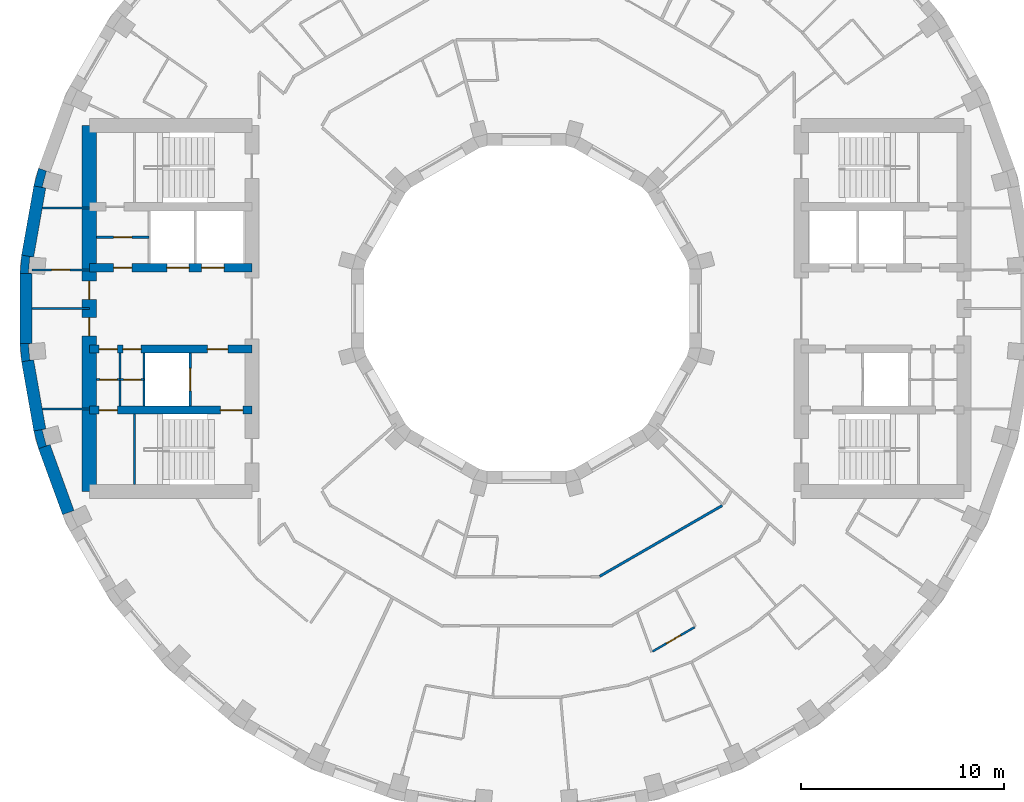
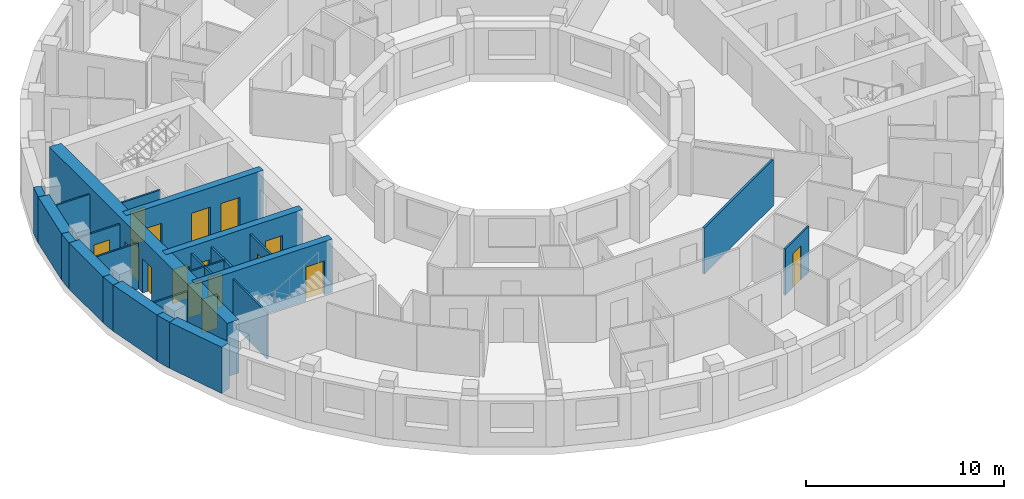
# One storey, part 5 of 13: 25 walls, 16 doors, 16 openings.
"""IFC4 building model written with IfcOpenShell, lengths in metres."""

from ifc_helpers import new_model, si_unit, direction, frame, frame_2d, origin, place, context, subcontext, project, spatial, polyline, rectangle, outline, extrude, material, layer, layer_set, type_object, element, fill, save


model = new_model("IFC4")

# Units and contexts
model_context = context("Model", 3, precision=1e-05, world=origin(), true_north=direction((0.0, 1.0)))
body_context = subcontext(model_context, "Body", "Model", "MODEL_VIEW")
ifc_project = project(units=[si_unit("LENGTHUNIT", "METRE"), si_unit("AREAUNIT", "SQUARE_METRE"), si_unit("VOLUMEUNIT", "CUBIC_METRE"), si_unit("PLANEANGLEUNIT", "RADIAN"), si_unit("MASSUNIT", "GRAM", prefix="KILO")], contexts=[model_context])

# Site, building, storey
site_placement = place(None, origin())
site = spatial("IfcSite", under=ifc_project, at=site_placement, CompositionType="ELEMENT")
building_placement = place(site_placement, origin())
building = spatial("IfcBuilding", under=site, at=building_placement, Name="Saqina Gate Tower", CompositionType="ELEMENT")
storey_placement = place(building_placement, frame((0.0, 0.0, 200.39990234375)))
storey = spatial("IfcBuildingStorey", under=building, at=storey_placement, Name="L57", CompositionType="ELEMENT", Elevation=200.39990234375)

# Walls
ifc_material_1 = material(Name="Brick masonry (buff)", Category="masonry")
wall_type_1 = type_object("IfcWallType", Name="BRICK PIER COPING BUFF", PredefinedType="SOLIDWALL", material=ifc_material_1)
wall_1_placement = place(storey_placement, origin())
element("IfcWall", 1, at=wall_1_placement, inside=storey, type_object=wall_type_1, Name="Pier cap L57 column 17", PredefinedType="SOLIDWALL", context=body_context, shape_type="SweptSolid", body=[
    extrude(outline(polyline([(-24.22705078125, 6.0234375), (-23.635986328125, 5.919189453125), (-23.81689453125, 5.967529296875), (-23.610107421875, 6.740478515625), (-23.428955078125, 6.69189453125), (-23.992919921875, 6.897216796875), (-24.22705078125, 6.0234375)])), origin(), (0.0, 0.0, 1.0), 2.85009765625),
])
wall_2_placement = place(storey_placement, origin())
element("IfcWall", 2, at=wall_2_placement, inside=storey, type_object=wall_type_1, Name="Pier cap L57 column 18", PredefinedType="SOLIDWALL", context=body_context, shape_type="SweptSolid", body=[
    extrude(outline(polyline([(-24.825927734375, 2.6259765625), (-24.90478515625, 1.724853515625), (-24.304931640625, 1.724853515625), (-24.491455078125, 1.7412109375), (-24.421630859375, 2.5380859375), (-24.235107421875, 2.521728515625), (-24.825927734375, 2.6259765625)])), origin(), (0.0, 0.0, 1.0), 2.85009765625),
])
wall_3_placement = place(storey_placement, origin())
element("IfcWall", 3, at=wall_3_placement, inside=storey, type_object=wall_type_1, Name="Pier cap L57 column 19", PredefinedType="SOLIDWALL", context=body_context, shape_type="SweptSolid", body=[
    extrude(outline(polyline([(-24.90478515625, -1.724853515625), (-24.825927734375, -2.6259765625), (-24.235107421875, -2.521728515625), (-24.421630859375, -2.5380859375), (-24.491455078125, -1.7412109375), (-24.304931640625, -1.724853515625), (-24.90478515625, -1.724853515625)])), origin(), (0.0, 0.0, 1.0), 2.85009765625),
])
wall_4_placement = place(storey_placement, origin())
element("IfcWall", 4, at=wall_4_placement, inside=storey, type_object=wall_type_1, Name="Pier cap L57 column 20", PredefinedType="SOLIDWALL", context=body_context, shape_type="SweptSolid", body=[
    extrude(outline(polyline([(-24.22705078125, -6.0234375), (-23.992919921875, -6.897216796875), (-23.428955078125, -6.69189453125), (-23.610107421875, -6.740478515625), (-23.81689453125, -5.967529296875), (-23.635986328125, -5.919189453125), (-24.22705078125, -6.0234375)])), origin(), (0.0, 0.0, 1.0), 2.85009765625),
])
ifc_material_2 = material(Name="Gypsum board on steel studs", Category="steel")
ifc_layer_1 = layer(ifc_material_2, 0.10009765625)
ifc_layer_set_1 = layer_set([ifc_layer_1], Name="CORE PARTITION")
wall_type_2 = type_object("IfcWallType", Name="CORE PARTITION", PredefinedType="PARTITIONING", material=ifc_layer_set_1)
wall_5_placement = place(storey_placement, frame((-21.5, 4.949951171875, 0.0), z_axis=(0.0, 0.0, 1.0), x_axis=(-1.0, 0.0, 0.0)))
element("IfcWall", 5, at=wall_5_placement, inside=storey, type_object=wall_type_2, Name="L57-CP-W01", PredefinedType="PARTITIONING", context=body_context, shape_type="SweptSolid", body=[
    extrude(rectangle(XDim=2.306884765625, YDim=0.10009765625, at=frame_2d((1.1533203125, 0.0))), origin(), (0.0, 0.0, 1.0), 2.85009765625),
])

# Wall, opening, door
wall_6_placement = place(storey_placement, frame((-21.5, 1.89990234375, 0.0), z_axis=(0.0, 0.0, 1.0), x_axis=(-1.0, 0.0, 0.0)))
wall_6 = element("IfcWall", 6, at=wall_6_placement, inside=storey, type_object=wall_type_2, Name="L57-CP-W02", PredefinedType="PARTITIONING", context=body_context, shape_type="SweptSolid", body=[
    extrude(rectangle(XDim=2.804931640625, YDim=0.10009765625, at=frame_2d((1.40234375, 0.0))), origin(), (0.0, 0.0, 1.0), 2.85009765625),
])
opening_1_placement = place(wall_6_placement, frame((0.952392578125, 0.0, 0.0)))
opening_1 = element("IfcOpeningElement", 7, at=opening_1_placement, cuts=wall_6, Name="Opening G17-D110", PredefinedType="OPENING", context=body_context, shape_type="SweptSolid", body=[
    extrude(rectangle(XDim=0.89990234375, YDim=2.10009765625, at=frame_2d((0.449951171875, 1.050048828125))), frame((0.0, 0.06201171875, 0.0), z_axis=(0.0, -1.0, 0.0), x_axis=(1.0, 0.0, 0.0)), (0.0, 0.0, 1.0), 0.1240234375),
])
ifc_material_3 = material(Name="Steel-framed fire door leaf, EI 60", Category="steel")
door_type_1 = type_object("IfcDoorType", Name="SERVICE ROOM DOOR 900", OperationType="SINGLE_SWING_LEFT", PredefinedType="DOOR", material=ifc_material_3)
door_1_placement = place(opening_1_placement, frame((0.89990234375, 0.0, 0.0), z_axis=(0.0, 0.0, 1.0), x_axis=(-1.0, 0.0, 0.0)))
door_1 = element("IfcDoor", 8, at=door_1_placement, inside=storey, type_object=door_type_1, Name="L57-CD-W21", OperationType="SINGLE_SWING_RIGHT", OverallHeight=2.10009765625, OverallWidth=0.89990234375, PredefinedType="DOOR", context=body_context, shape_type="SweptSolid", body=[
    extrude(rectangle(XDim=0.89990234375, YDim=2.10009765625, at=frame_2d((0.449951171875, 1.050048828125))), frame((0.0, 0.02490234375, 0.0), z_axis=(0.0, -1.0, 0.0), x_axis=(1.0, 0.0, 0.0)), (0.0, 0.0, 1.0), 0.050048828125),
])
fill(opening_1, door_1)

# Walls
wall_7_placement = place(storey_placement, frame((-21.5, -4.949951171875, 0.0), z_axis=(0.0, 0.0, 1.0), x_axis=(-1.0, 0.0, 0.0)))
element("IfcWall", 9, at=wall_7_placement, inside=storey, type_object=wall_type_2, Name="L57-CP-W03", PredefinedType="PARTITIONING", context=body_context, shape_type="SweptSolid", body=[
    extrude(rectangle(XDim=2.306884765625, YDim=0.10009765625, at=frame_2d((1.1533203125, 0.0))), origin(), (0.0, 0.0, 1.0), 2.85009765625),
])
wall_8_placement = place(storey_placement, frame((-21.5, 0.0, 0.0), z_axis=(0.0, 0.0, 1.0), x_axis=(-1.0, 0.0, 0.0)))
element("IfcWall", 10, at=wall_8_placement, inside=storey, type_object=wall_type_2, Name="L57-CP-W04", PredefinedType="PARTITIONING", context=body_context, shape_type="SweptSolid", body=[
    extrude(rectangle(XDim=2.804931640625, YDim=0.10009765625, at=frame_2d((1.40234375, 0.0))), origin(), (0.0, 0.0, 1.0), 2.85009765625),
])
wall_9_placement = place(storey_placement, frame((-19.97998046875, -4.800048828125, 0.0), z_axis=(0.0, 0.0, 1.0), x_axis=(0.0, 1.0, 0.0)))
element("IfcWall", 11, at=wall_9_placement, inside=storey, type_object=wall_type_2, Name="L57-CP-W09", PredefinedType="PARTITIONING", context=body_context, shape_type="SweptSolid", body=[
    extrude(rectangle(XDim=2.60009765625, YDim=0.10009765625, at=frame_2d((1.300048828125, 0.0))), origin(), (0.0, 0.0, 1.0), 2.85009765625),
])

# Wall, opening, door
wall_10_placement = place(storey_placement, frame((-18.56005859375, 3.5, 0.0), z_axis=(0.0, 0.0, 1.0), x_axis=(-1.0, 0.0, 0.0)))
wall_10 = element("IfcWall", 12, at=wall_10_placement, inside=storey, type_object=wall_type_2, Name="L57-CP-W10", PredefinedType="PARTITIONING", context=body_context, shape_type="SweptSolid", body=[
    extrude(rectangle(XDim=2.58984375, YDim=0.10009765625, at=frame_2d((1.294921875, 0.0))), origin(), (0.0, 0.0, 1.0), 2.85009765625),
])
opening_2_placement = place(wall_10_placement, frame((0.844970703125, 0.0, 0.0)))
opening_2 = element("IfcOpeningElement", 13, at=opening_2_placement, cuts=wall_10, Name="Opening G17-D113", PredefinedType="OPENING", context=body_context, shape_type="SweptSolid", body=[
    extrude(rectangle(XDim=0.89990234375, YDim=2.10009765625, at=frame_2d((0.449951171875, 1.050048828125))), frame((0.0, 0.06201171875, 0.0), z_axis=(0.0, -1.0, 0.0), x_axis=(1.0, 0.0, 0.0)), (0.0, 0.0, 1.0), 0.1240234375),
])
door_2_placement = place(opening_2_placement, frame((0.89990234375, 0.0, 0.0), z_axis=(0.0, 0.0, 1.0), x_axis=(-1.0, 0.0, 0.0)))
door_2 = element("IfcDoor", 14, at=door_2_placement, inside=storey, type_object=door_type_1, Name="L57-CD-W24", OperationType="SINGLE_SWING_LEFT", OverallHeight=2.10009765625, OverallWidth=0.89990234375, PredefinedType="DOOR", context=body_context, shape_type="SweptSolid", body=[
    extrude(rectangle(XDim=0.89990234375, YDim=2.10009765625, at=frame_2d((0.449951171875, 1.050048828125))), frame((0.0, 0.02490234375, 0.0), z_axis=(0.0, -1.0, 0.0), x_axis=(1.0, 0.0, 0.0)), (0.0, 0.0, 1.0), 0.050048828125),
])
fill(opening_2, door_2)

wall_11_placement = place(storey_placement, frame((-18.81005859375, -3.5, 0.0), z_axis=(0.0, 0.0, 1.0), x_axis=(-1.0, 0.0, 0.0)))
wall_11 = element("IfcWall", 15, at=wall_11_placement, inside=storey, type_object=wall_type_2, Name="L57-CP-W11", PredefinedType="PARTITIONING", context=body_context, shape_type="SweptSolid", body=[
    extrude(rectangle(XDim=1.169921875, YDim=0.10009765625, at=frame_2d((0.5849609375, 0.0))), origin(), (0.0, 0.0, 1.0), 2.85009765625),
])
opening_3_placement = place(wall_11_placement, frame((0.14990234375, 0.0, 0.0)))
opening_3 = element("IfcOpeningElement", 16, at=opening_3_placement, cuts=wall_11, Name="Opening G17-D115", PredefinedType="OPENING", context=body_context, shape_type="SweptSolid", body=[
    extrude(rectangle(XDim=0.85009765625, YDim=2.10009765625, at=frame_2d((0.425048828125, 1.050048828125))), frame((0.0, 0.06201171875, 0.0), z_axis=(0.0, -1.0, 0.0), x_axis=(1.0, 0.0, 0.0)), (0.0, 0.0, 1.0), 0.1240234375),
])
ifc_material_4 = material(Name="Steel-framed fire door leaf, EI 60", Category="steel")
door_type_2 = type_object("IfcDoorType", Name="SERVICE ROOM DOOR 850", OperationType="SINGLE_SWING_LEFT", PredefinedType="DOOR", material=ifc_material_4)
door_3_placement = place(opening_3_placement, origin())
door_3 = element("IfcDoor", 17, at=door_3_placement, inside=storey, type_object=door_type_2, Name="L57-CD-W26", OperationType="SINGLE_SWING_LEFT", OverallHeight=2.10009765625, OverallWidth=0.85009765625, PredefinedType="DOOR", context=body_context, shape_type="SweptSolid", body=[
    extrude(rectangle(XDim=0.85009765625, YDim=2.10009765625, at=frame_2d((0.425048828125, 1.050048828125))), frame((0.0, 0.02490234375, 0.0), z_axis=(0.0, -1.0, 0.0), x_axis=(1.0, 0.0, 0.0)), (0.0, 0.0, 1.0), 0.050048828125),
])
fill(opening_3, door_3)

wall_12_placement = place(storey_placement, frame((-19.97998046875, -3.5, 0.0), z_axis=(0.0, 0.0, 1.0), x_axis=(-1.0, 0.0, 0.0)))
wall_12 = element("IfcWall", 18, at=wall_12_placement, inside=storey, type_object=wall_type_2, Name="L57-CP-W12", PredefinedType="PARTITIONING", context=body_context, shape_type="SweptSolid", body=[
    extrude(rectangle(XDim=1.169921875, YDim=0.10009765625, at=frame_2d((0.5849609375, 0.0))), origin(), (0.0, 0.0, 1.0), 2.85009765625),
])
opening_4_placement = place(wall_12_placement, frame((0.14990234375, 0.0, 0.0)))
opening_4 = element("IfcOpeningElement", 19, at=opening_4_placement, cuts=wall_12, Name="Opening G17-D116", PredefinedType="OPENING", context=body_context, shape_type="SweptSolid", body=[
    extrude(rectangle(XDim=0.85009765625, YDim=2.10009765625, at=frame_2d((0.425048828125, 1.050048828125))), frame((0.0, 0.06201171875, 0.0), z_axis=(0.0, -1.0, 0.0), x_axis=(1.0, 0.0, 0.0)), (0.0, 0.0, 1.0), 0.1240234375),
])
door_4_placement = place(opening_4_placement, origin())
door_4 = element("IfcDoor", 20, at=door_4_placement, inside=storey, type_object=door_type_2, Name="L57-CD-W27", OperationType="SINGLE_SWING_RIGHT", OverallHeight=2.10009765625, OverallWidth=0.85009765625, PredefinedType="DOOR", context=body_context, shape_type="SweptSolid", body=[
    extrude(rectangle(XDim=0.85009765625, YDim=2.10009765625, at=frame_2d((0.425048828125, 1.050048828125))), frame((0.0, 0.02490234375, 0.0), z_axis=(0.0, -1.0, 0.0), x_axis=(1.0, 0.0, 0.0)), (0.0, 0.0, 1.0), 0.050048828125),
])
fill(opening_4, door_4)

# Walls
ifc_material_5 = material(Name="Glazed ceramic tile", Category="ceramic")
ifc_layer_2 = layer(ifc_material_5, 0.60009765625)
ifc_layer_set_2 = layer_set([ifc_layer_2], Name="FW-TILE")
wall_type_3 = type_object("IfcWallType", Name="FW-TILE", PredefinedType="SOLIDWALL", material=ifc_layer_set_2)
for number, where, z_axis, x_axis, name in (
    (21, (-24.60498046875, 1.724853515625, 0.0), (0.0, 0.0, 1.0), (0.0, -1.0, 0.0), "Facade wall L57 facet 18"),
    (22, (-23.7109375, -6.79443359375, 0.0), (0.0, 0.0, 1.0), (0.342032843455, -0.93968799822, 0.0), "Facade wall L57 facet 20"),
):
    element("IfcWall", number, at=place(storey_placement, frame(where, z_axis=z_axis, x_axis=x_axis)), inside=storey, type_object=wall_type_3, Name=name, PredefinedType="SOLIDWALL", context=body_context, shape_type="SweptSolid", body=[
        extrude(rectangle(XDim=3.44970703125, YDim=0.60009765625, at=frame_2d((1.724853515625, 0.0))), origin(), (0.0, 0.0, 1.0), 2.85009765625),
    ])
ifc_material_6 = material(Name="Glazed ceramic tile (dark blue)", Category="ceramic")
ifc_layer_3 = layer(ifc_material_6, 0.60009765625)
ifc_layer_set_3 = layer_set([ifc_layer_3], Name="FW-TILE-CB")
wall_type_4 = type_object("IfcWallType", Name="FW-TILE-CB", PredefinedType="SOLIDWALL", material=ifc_layer_set_3)
wall_13_placement = place(storey_placement, frame((-23.931640625, 5.97119140625, 0.0), z_axis=(0.0, 0.0, 1.0), x_axis=(-0.173607684551, -0.984814892183, 0.0)))
element("IfcWall", 23, at=wall_13_placement, inside=storey, type_object=wall_type_4, Name="Facade wall L57 facet 17", PredefinedType="SOLIDWALL", context=body_context, shape_type="SweptSolid", body=[
    extrude(rectangle(XDim=3.44970703125, YDim=0.60009765625, at=frame_2d((1.724853515625, 0.0))), origin(), (0.0, 0.0, 1.0), 2.85009765625),
])
ifc_material_7 = material(Name="Glazed ceramic tile (white)", Category="ceramic")
ifc_layer_4 = layer(ifc_material_7, 0.60009765625)
ifc_layer_set_4 = layer_set([ifc_layer_4], Name="FW-TILE-WH")
wall_type_5 = type_object("IfcWallType", Name="FW-TILE-WH", PredefinedType="SOLIDWALL", material=ifc_layer_set_4)
wall_14_placement = place(storey_placement, frame((-24.530517578125, -2.573974609375, 0.0), z_axis=(0.0, 0.0, 1.0), x_axis=(0.173607684551, -0.984814892183, 0.0)))
element("IfcWall", 24, at=wall_14_placement, inside=storey, type_object=wall_type_5, Name="Facade wall L57 facet 19", PredefinedType="SOLIDWALL", context=body_context, shape_type="SweptSolid", body=[
    extrude(rectangle(XDim=3.44970703125, YDim=0.60009765625, at=frame_2d((1.724853515625, 0.0))), origin(), (0.0, 0.0, 1.0), 2.85009765625),
])

# Wall, opening, door
ifc_material_8 = material(Name="Gypsum board on steel studs, 100 mm", Category="steel")
ifc_layer_5 = layer(ifc_material_8, 0.10009765625)
ifc_layer_set_5 = layer_set([ifc_layer_5], Name="PARTITION 100")
wall_type_6 = type_object("IfcWallType", Name="PARTITION 100", PredefinedType="PARTITIONING", material=ifc_layer_set_5)
wall_15_placement = place(storey_placement, frame((6.192138671875, -16.863037109375, 0.0), z_axis=(0.0, 0.0, 1.0), x_axis=(0.866112296403, 0.49984946736, 0.0)))
wall_15 = element("IfcWall", 25, at=wall_15_placement, inside=storey, type_object=wall_type_6, Name="PARTITION PW3-42", PredefinedType="PARTITIONING", context=body_context, shape_type="SweptSolid", body=[
    extrude(rectangle(XDim=2.385009765625, YDim=0.10009765625, at=frame_2d((1.1923828125, 0.0))), origin(), (0.0, 0.0, 1.0), 2.85009765625),
])
opening_5_placement = place(wall_15_placement, frame((0.79150390625, 0.0, 0.0)))
opening_5 = element("IfcOpeningElement", 26, at=opening_5_placement, cuts=wall_15, Name="Opening G17-D41", PredefinedType="OPENING", context=body_context, shape_type="SweptSolid", body=[
    extrude(rectangle(XDim=0.800048828125, YDim=2.10009765625, at=frame_2d((0.39990234375, 1.050048828125))), frame((0.0, 0.06201171875, 0.0), z_axis=(0.0, -1.0, 0.0), x_axis=(1.0, 0.0, 0.0)), (0.0, 0.0, 1.0), 0.1240234375),
])
ifc_material_9 = material(Name="Timber door leaf, 800 mm", Category="wood")
door_type_3 = type_object("IfcDoorType", Name="DOOR 800 TIMBER", OperationType="SINGLE_SWING_LEFT", PredefinedType="DOOR", material=ifc_material_9)
door_5_placement = place(opening_5_placement, frame((0.800048828125, 0.0, 0.0), z_axis=(0.0, 0.0, 1.0), x_axis=(-1.0, 0.0, 0.0)))
door_5 = element("IfcDoor", 27, at=door_5_placement, inside=storey, type_object=door_type_3, Name="DOOR G17-D41", OperationType="SINGLE_SWING_RIGHT", OverallHeight=2.10009765625, OverallWidth=0.800048828125, PredefinedType="DOOR", context=body_context, shape_type="SweptSolid", body=[
    extrude(rectangle(XDim=0.800048828125, YDim=2.10009765625, at=frame_2d((0.39990234375, 1.050048828125))), frame((0.0, 0.02490234375, 0.0), z_axis=(0.0, -1.0, 0.0), x_axis=(1.0, 0.0, 0.0)), (0.0, 0.0, 1.0), 0.050048828125),
])
fill(opening_5, door_5)

# Wall
ifc_material_10 = material(Name="Gypsum board on steel studs, 125 mm, fire rated", Category="steel")
ifc_layer_6 = layer(ifc_material_10, 0.125)
ifc_layer_set_6 = layer_set([ifc_layer_6], Name="PARTITION EI 30 125")
wall_type_7 = type_object("IfcWallType", Name="PARTITION EI 30 125", PredefinedType="PARTITIONING", material=ifc_layer_set_6)
wall_16_placement = place(storey_placement, frame((3.591064453125, -13.168701171875, 0.0), z_axis=(0.0, 0.0, 1.0), x_axis=(0.866023753919, 0.50000285764, 0.0)))
element("IfcWall", 28, at=wall_16_placement, inside=storey, type_object=wall_type_7, Name="PARTITION PW1-30", PredefinedType="PARTITIONING", context=body_context, shape_type="SweptSolid", body=[
    extrude(rectangle(XDim=6.958984375, YDim=0.125, at=frame_2d((3.4794921875, 0.0))), origin(), (0.0, 0.0, 1.0), 2.85009765625),
])

# Wall, opening, door
ifc_material_11 = material(Name="Autoclaved aerated concrete block", Category="concrete")
ifc_layer_7 = layer(ifc_material_11, 0.1201171875)
ifc_layer_set_7 = layer_set([ifc_layer_7], Name="SHAFT PARTITION")
wall_type_8 = type_object("IfcWallType", Name="SHAFT PARTITION", PredefinedType="PARTITIONING", material=ifc_layer_set_7)
wall_17_placement = place(storey_placement, frame((-16.530029296875, -4.800048828125, 0.0), z_axis=(0.0, 0.0, 1.0), x_axis=(0.0, 1.0, 0.0)))
wall_17 = element("IfcWall", 29, at=wall_17_placement, inside=storey, type_object=wall_type_8, Name="L57-CP-W07", PredefinedType="PARTITIONING", context=body_context, shape_type="SweptSolid", body=[
    extrude(rectangle(XDim=2.60009765625, YDim=0.1201171875, at=frame_2d((1.300048828125, 0.0))), origin(), (0.0, 0.0, 1.0), 2.85009765625),
])
opening_6_placement = place(wall_17_placement, frame((0.75, 0.0, 0.0)))
opening_6 = element("IfcOpeningElement", 30, at=opening_6_placement, cuts=wall_17, Name="Opening G17-LD6", PredefinedType="OPENING", context=body_context, shape_type="SweptSolid", body=[
    extrude(rectangle(XDim=1.10009765625, YDim=2.10009765625, at=frame_2d((0.550048828125, 1.050048828125))), frame((0.0, 0.072021484375, 0.0), z_axis=(0.0, -1.0, 0.0), x_axis=(1.0, 0.0, 0.0)), (0.0, 0.0, 1.0), 0.14404296875),
])
ifc_material_12 = material(Name="Stainless steel", Category="steel")
door_type_4 = type_object("IfcDoorType", Name="LANDING DOOR", OperationType="DOUBLE_DOOR_SLIDING", PredefinedType="DOOR", material=ifc_material_12)
door_6_placement = place(opening_6_placement, origin())
door_6 = element("IfcDoor", 31, at=door_6_placement, inside=storey, type_object=door_type_4, Name="LANDING DOOR FF2", OperationType="DOUBLE_DOOR_SLIDING", OverallHeight=2.10009765625, OverallWidth=1.10009765625, PredefinedType="DOOR", context=body_context, shape_type="SweptSolid", body=[
    extrude(rectangle(XDim=1.10009765625, YDim=2.10009765625, at=frame_2d((0.550048828125, 1.050048828125))), frame((0.0, 0.02490234375, 0.0), z_axis=(0.0, -1.0, 0.0), x_axis=(1.0, 0.0, 0.0)), (0.0, 0.0, 1.0), 0.050048828125),
])
fill(opening_6, door_6)

# Walls
wall_18_placement = place(storey_placement, frame((-18.81005859375, -4.800048828125, 0.0), z_axis=(0.0, 0.0, 1.0), x_axis=(0.0, 1.0, 0.0)))
element("IfcWall", 32, at=wall_18_placement, inside=storey, type_object=wall_type_8, Name="L57-CP-W08", PredefinedType="PARTITIONING", context=body_context, shape_type="SweptSolid", body=[
    extrude(rectangle(XDim=2.60009765625, YDim=0.1201171875, at=frame_2d((1.300048828125, 0.0))), origin(), (0.0, 0.0, 1.0), 2.85009765625),
])
ifc_material_13 = material(Name="Autoclaved aerated concrete block", Category="concrete")
ifc_layer_8 = layer(ifc_material_13, 0.10009765625)
ifc_layer_set_8 = layer_set([ifc_layer_8], Name="STAIR ENCLOSURE WALL")
wall_type_9 = type_object("IfcWallType", Name="STAIR ENCLOSURE WALL", PredefinedType="PARTITIONING", material=ifc_layer_set_8)
wall_19_placement = place(storey_placement, frame((-19.27001953125, -8.64990234375, 0.0), z_axis=(0.0, 0.0, 1.0), x_axis=(0.0, 1.0, 0.0)))
element("IfcWall", 33, at=wall_19_placement, inside=storey, type_object=wall_type_9, Name="L57-CP-W14", PredefinedType="PARTITIONING", context=body_context, shape_type="SweptSolid", body=[
    extrude(rectangle(XDim=3.449951171875, YDim=0.10009765625, at=frame_2d((1.72509765625, 0.0))), origin(), (0.0, 0.0, 1.0), 2.85009765625),
])

# Wall, openings, doors
ifc_material_14 = material(Name="Concrete C60/75", Category="concrete")
ifc_layer_9 = layer(ifc_material_14, 0.39990234375)
ifc_layer_set_9 = layer_set([ifc_layer_9], Name="Concrete C60/75")
wall_type_10 = type_object("IfcWallType", Name="STR-CORE WALL-C-I", PredefinedType="SHEAR", material=ifc_layer_set_9)
wall_20_placement = place(storey_placement, frame((-13.5, -5.0, 0.0), z_axis=(0.0, 0.0, 1.0), x_axis=(-1.0, 0.0, 0.0)))
wall_20 = element("IfcWall", 34, at=wall_20_placement, inside=storey, type_object=wall_type_10, Name="CORE WALL L57 W-X2", PredefinedType="SHEAR", context=body_context, shape_type="SweptSolid", body=[
    extrude(rectangle(XDim=8.0, YDim=0.39990234375, at=frame_2d((4.0, 0.0))), origin(), (0.0, 0.0, 1.0), 3.300048828125),
])
opening_7_placement = place(wall_20_placement, frame((6.614990234375, 0.0, 0.0)))
opening_7 = element("IfcOpeningElement", 35, at=opening_7_placement, cuts=wall_20, Name="Opening G17-D117", PredefinedType="OPENING", context=body_context, shape_type="SweptSolid", body=[
    extrude(rectangle(XDim=0.89990234375, YDim=2.10009765625, at=frame_2d((0.449951171875, 1.050048828125))), frame((0.0, 0.2119140625, 0.0), z_axis=(0.0, -1.0, 0.0), x_axis=(1.0, 0.0, 0.0)), (0.0, 0.0, 1.0), 0.423828125),
])
opening_8_placement = place(wall_20_placement, frame((0.449951171875, 0.0, 0.0)))
opening_8 = element("IfcOpeningElement", 36, at=opening_8_placement, cuts=wall_20, Name="Opening G17-D118", PredefinedType="OPENING", context=body_context, shape_type="SweptSolid", body=[
    extrude(rectangle(XDim=1.10009765625, YDim=2.10009765625, at=frame_2d((0.550048828125, 1.050048828125))), frame((0.0, 0.2119140625, 0.0), z_axis=(0.0, -1.0, 0.0), x_axis=(1.0, 0.0, 0.0)), (0.0, 0.0, 1.0), 0.423828125),
])
ifc_material_15 = material(Name="Steel", Category="steel")
door_type_5 = type_object("IfcDoorType", Name="FIRE LOBBY DOOR EI 60 WIDE", OperationType="SINGLE_SWING_LEFT", PredefinedType="DOOR", material=ifc_material_15)
door_7_placement = place(opening_8_placement, origin())
door_7 = element("IfcDoor", 37, at=door_7_placement, inside=storey, type_object=door_type_5, Name="L57-CD-W29", OperationType="SINGLE_SWING_LEFT", OverallHeight=2.10009765625, OverallWidth=1.10009765625, PredefinedType="DOOR", context=body_context, shape_type="SweptSolid", body=[
    extrude(rectangle(XDim=1.10009765625, YDim=2.10009765625, at=frame_2d((0.550048828125, 1.050048828125))), frame((0.0, 0.02490234375, 0.0), z_axis=(0.0, -1.0, 0.0), x_axis=(1.0, 0.0, 0.0)), (0.0, 0.0, 1.0), 0.050048828125),
])
fill(opening_8, door_7)
door_8_placement = place(opening_7_placement, origin())
door_8 = element("IfcDoor", 38, at=door_8_placement, inside=storey, type_object=door_type_1, Name="L57-CD-W28", OperationType="SINGLE_SWING_RIGHT", OverallHeight=2.10009765625, OverallWidth=0.89990234375, PredefinedType="DOOR", context=body_context, shape_type="SweptSolid", body=[
    extrude(rectangle(XDim=0.89990234375, YDim=2.10009765625, at=frame_2d((0.449951171875, 1.050048828125))), frame((0.0, 0.02490234375, 0.0), z_axis=(0.0, -1.0, 0.0), x_axis=(1.0, 0.0, 0.0)), (0.0, 0.0, 1.0), 0.050048828125),
])
fill(opening_7, door_8)

wall_21_placement = place(storey_placement, frame((-13.5, 2.0, 0.0), z_axis=(0.0, 0.0, 1.0), x_axis=(-1.0, 0.0, 0.0)))
wall_21 = element("IfcWall", 39, at=wall_21_placement, inside=storey, type_object=wall_type_10, Name="CORE WALL L57 W-L1", PredefinedType="SHEAR", context=body_context, shape_type="SweptSolid", body=[
    extrude(rectangle(XDim=8.0, YDim=0.39990234375, at=frame_2d((4.0, 0.0))), origin(), (0.0, 0.0, 1.0), 3.300048828125),
])
opening_9_placement = place(wall_21_placement, frame((1.3701171875, 0.0, 0.0)))
opening_9 = element("IfcOpeningElement", 40, at=opening_9_placement, cuts=wall_21, Name="Opening G17-LD4", PredefinedType="OPENING", context=body_context, shape_type="SweptSolid", body=[
    extrude(rectangle(XDim=1.10009765625, YDim=2.10009765625, at=frame_2d((0.550048828125, 1.050048828125))), frame((0.0, 0.2119140625, 0.0), z_axis=(0.0, -1.0, 0.0), x_axis=(1.0, 0.0, 0.0)), (0.0, 0.0, 1.0), 0.423828125),
])
opening_10_placement = place(wall_21_placement, frame((3.090087890625, 0.0, 0.0)))
opening_10 = element("IfcOpeningElement", 41, at=opening_10_placement, cuts=wall_21, Name="Opening G17-LD5", PredefinedType="OPENING", context=body_context, shape_type="SweptSolid", body=[
    extrude(rectangle(XDim=1.10009765625, YDim=2.10009765625, at=frame_2d((0.550048828125, 1.050048828125))), frame((0.0, 0.2119140625, 0.0), z_axis=(0.0, -1.0, 0.0), x_axis=(1.0, 0.0, 0.0)), (0.0, 0.0, 1.0), 0.423828125),
])
opening_11_placement = place(wall_21_placement, frame((5.905029296875, 0.0, 0.0)))
opening_11 = element("IfcOpeningElement", 42, at=opening_11_placement, cuts=wall_21, Name="Opening G17-D106", PredefinedType="OPENING", context=body_context, shape_type="SweptSolid", body=[
    extrude(rectangle(XDim=0.89990234375, YDim=2.10009765625, at=frame_2d((0.449951171875, 1.050048828125))), frame((0.0, 0.2119140625, 0.0), z_axis=(0.0, -1.0, 0.0), x_axis=(1.0, 0.0, 0.0)), (0.0, 0.0, 1.0), 0.423828125),
])
door_9_placement = place(opening_9_placement, origin())
door_9 = element("IfcDoor", 43, at=door_9_placement, inside=storey, type_object=door_type_4, Name="LANDING DOOR HR3", OperationType="DOUBLE_DOOR_SLIDING", OverallHeight=2.10009765625, OverallWidth=1.10009765625, PredefinedType="DOOR", context=body_context, shape_type="SweptSolid", body=[
    extrude(rectangle(XDim=1.10009765625, YDim=2.10009765625, at=frame_2d((0.550048828125, 1.050048828125))), frame((0.0, 0.02490234375, 0.0), z_axis=(0.0, -1.0, 0.0), x_axis=(1.0, 0.0, 0.0)), (0.0, 0.0, 1.0), 0.050048828125),
])
fill(opening_9, door_9)
door_10_placement = place(opening_10_placement, origin())
door_10 = element("IfcDoor", 44, at=door_10_placement, inside=storey, type_object=door_type_4, Name="LANDING DOOR HR4", OperationType="DOUBLE_DOOR_SLIDING", OverallHeight=2.10009765625, OverallWidth=1.10009765625, PredefinedType="DOOR", context=body_context, shape_type="SweptSolid", body=[
    extrude(rectangle(XDim=1.10009765625, YDim=2.10009765625, at=frame_2d((0.550048828125, 1.050048828125))), frame((0.0, 0.02490234375, 0.0), z_axis=(0.0, -1.0, 0.0), x_axis=(1.0, 0.0, 0.0)), (0.0, 0.0, 1.0), 0.050048828125),
])
fill(opening_10, door_10)
door_11_placement = place(opening_11_placement, frame((0.89990234375, 0.0, 0.0), z_axis=(0.0, 0.0, 1.0), x_axis=(-1.0, 0.0, 0.0)))
door_11 = element("IfcDoor", 45, at=door_11_placement, inside=storey, type_object=door_type_1, Name="L57-CD-W17", OperationType="SINGLE_SWING_LEFT", OverallHeight=2.10009765625, OverallWidth=0.89990234375, PredefinedType="DOOR", context=body_context, shape_type="SweptSolid", body=[
    extrude(rectangle(XDim=0.89990234375, YDim=2.10009765625, at=frame_2d((0.449951171875, 1.050048828125))), frame((0.0, 0.02490234375, 0.0), z_axis=(0.0, -1.0, 0.0), x_axis=(1.0, 0.0, 0.0)), (0.0, 0.0, 1.0), 0.050048828125),
])
fill(opening_11, door_11)

wall_22_placement = place(storey_placement, frame((-13.5, -2.0, 0.0), z_axis=(0.0, 0.0, 1.0), x_axis=(-1.0, 0.0, 0.0)))
wall_22 = element("IfcWall", 46, at=wall_22_placement, inside=storey, type_object=wall_type_10, Name="CORE WALL L57 W-L2", PredefinedType="SHEAR", context=body_context, shape_type="SweptSolid", body=[
    extrude(rectangle(XDim=8.0, YDim=0.39990234375, at=frame_2d((4.0, 0.0))), origin(), (0.0, 0.0, 1.0), 3.300048828125),
])
opening_12_placement = place(wall_22_placement, frame((1.18994140625, 0.0, 0.0)))
opening_12 = element("IfcOpeningElement", 47, at=opening_12_placement, cuts=wall_22, Name="Opening G17-D107", PredefinedType="OPENING", context=body_context, shape_type="SweptSolid", body=[
    extrude(rectangle(XDim=1.0, YDim=2.10009765625, at=frame_2d((0.5, 1.050048828125))), frame((0.0, 0.2119140625, 0.0), z_axis=(0.0, -1.0, 0.0), x_axis=(1.0, 0.0, 0.0)), (0.0, 0.0, 1.0), 0.423828125),
])
opening_13_placement = place(wall_22_placement, frame((5.445068359375, 0.0, 0.0)))
opening_13 = element("IfcOpeningElement", 48, at=opening_13_placement, cuts=wall_22, Name="Opening G17-D108", PredefinedType="OPENING", context=body_context, shape_type="SweptSolid", body=[
    extrude(rectangle(XDim=0.89990234375, YDim=2.10009765625, at=frame_2d((0.449951171875, 1.050048828125))), frame((0.0, 0.2119140625, 0.0), z_axis=(0.0, -1.0, 0.0), x_axis=(1.0, 0.0, 0.0)), (0.0, 0.0, 1.0), 0.423828125),
])
opening_14_placement = place(wall_22_placement, frame((6.614990234375, 0.0, 0.0)))
opening_14 = element("IfcOpeningElement", 49, at=opening_14_placement, cuts=wall_22, Name="Opening G17-D109", PredefinedType="OPENING", context=body_context, shape_type="SweptSolid", body=[
    extrude(rectangle(XDim=0.89990234375, YDim=2.10009765625, at=frame_2d((0.449951171875, 1.050048828125))), frame((0.0, 0.2119140625, 0.0), z_axis=(0.0, -1.0, 0.0), x_axis=(1.0, 0.0, 0.0)), (0.0, 0.0, 1.0), 0.423828125),
])
ifc_material_16 = material(Name="Steel", Category="steel")
door_type_6 = type_object("IfcDoorType", Name="FIRE LOBBY DOOR EI 60", OperationType="SINGLE_SWING_LEFT", PredefinedType="DOOR", material=ifc_material_16)
door_12_placement = place(opening_12_placement, frame((1.0, 0.0, 0.0), z_axis=(0.0, 0.0, 1.0), x_axis=(-1.0, 0.0, 0.0)))
door_12 = element("IfcDoor", 50, at=door_12_placement, inside=storey, type_object=door_type_6, Name="L57-CD-W18", OperationType="SINGLE_SWING_RIGHT", OverallHeight=2.10009765625, OverallWidth=1.0, PredefinedType="DOOR", context=body_context, shape_type="SweptSolid", body=[
    extrude(rectangle(XDim=1.0, YDim=2.10009765625, at=frame_2d((0.5, 1.050048828125))), frame((0.0, 0.02490234375, 0.0), z_axis=(0.0, -1.0, 0.0), x_axis=(1.0, 0.0, 0.0)), (0.0, 0.0, 1.0), 0.050048828125),
])
fill(opening_12, door_12)
door_13_placement = place(opening_13_placement, origin())
door_13 = element("IfcDoor", 51, at=door_13_placement, inside=storey, type_object=door_type_1, Name="L57-CD-W19", OperationType="SINGLE_SWING_LEFT", OverallHeight=2.10009765625, OverallWidth=0.89990234375, PredefinedType="DOOR", context=body_context, shape_type="SweptSolid", body=[
    extrude(rectangle(XDim=0.89990234375, YDim=2.10009765625, at=frame_2d((0.449951171875, 1.050048828125))), frame((0.0, 0.02490234375, 0.0), z_axis=(0.0, -1.0, 0.0), x_axis=(1.0, 0.0, 0.0)), (0.0, 0.0, 1.0), 0.050048828125),
])
fill(opening_13, door_13)
door_14_placement = place(opening_14_placement, origin())
door_14 = element("IfcDoor", 52, at=door_14_placement, inside=storey, type_object=door_type_1, Name="L57-CD-W20", OperationType="SINGLE_SWING_RIGHT", OverallHeight=2.10009765625, OverallWidth=0.89990234375, PredefinedType="DOOR", context=body_context, shape_type="SweptSolid", body=[
    extrude(rectangle(XDim=0.89990234375, YDim=2.10009765625, at=frame_2d((0.449951171875, 1.050048828125))), frame((0.0, 0.02490234375, 0.0), z_axis=(0.0, -1.0, 0.0), x_axis=(1.0, 0.0, 0.0)), (0.0, 0.0, 1.0), 0.050048828125),
])
fill(opening_14, door_14)

ifc_material_17 = material(Name="Concrete C60/75", Category="concrete")
ifc_layer_10 = layer(ifc_material_17, 0.699951171875)
ifc_layer_set_10 = layer_set([ifc_layer_10], Name="Concrete C60/75")
wall_type_11 = type_object("IfcWallType", Name="STR-CORE WALL-C-O", PredefinedType="SHEAR", material=ifc_layer_set_10)
wall_23_placement = place(storey_placement, frame((-21.5, -9.0, 0.0), z_axis=(0.0, 0.0, 1.0), x_axis=(0.0, 1.0, 0.0)))
wall_23 = element("IfcWall", 53, at=wall_23_placement, inside=storey, type_object=wall_type_11, Name="CORE WALL L57 W-W2", PredefinedType="SHEAR", context=body_context, shape_type="SweptSolid", body=[
    extrude(rectangle(XDim=18.0, YDim=0.699951171875, at=frame_2d((9.0, 0.0))), origin(), (0.0, 0.0, 1.0), 3.300048828125),
])
opening_15_placement = place(wall_23_placement, frame((9.449951171875, 0.0, 0.0)))
opening_15 = element("IfcOpeningElement", 54, at=opening_15_placement, cuts=wall_23, Name="Opening G17-D111", PredefinedType="OPENING", context=body_context, shape_type="SweptSolid", body=[
    extrude(rectangle(XDim=0.89990234375, YDim=2.10009765625, at=frame_2d((0.449951171875, 1.050048828125))), frame((0.0, 0.362060546875, 0.0), z_axis=(0.0, -1.0, 0.0), x_axis=(1.0, 0.0, 0.0)), (0.0, 0.0, 1.0), 0.723876953125),
])
opening_16_placement = place(wall_23_placement, frame((7.64990234375, 0.0, 0.0)))
opening_16 = element("IfcOpeningElement", 55, at=opening_16_placement, cuts=wall_23, Name="Opening G17-D112", PredefinedType="OPENING", context=body_context, shape_type="SweptSolid", body=[
    extrude(rectangle(XDim=0.89990234375, YDim=2.10009765625, at=frame_2d((0.449951171875, 1.050048828125))), frame((0.0, 0.362060546875, 0.0), z_axis=(0.0, -1.0, 0.0), x_axis=(1.0, 0.0, 0.0)), (0.0, 0.0, 1.0), 0.723876953125),
])
door_15_placement = place(opening_15_placement, origin())
door_15 = element("IfcDoor", 56, at=door_15_placement, inside=storey, type_object=door_type_1, Name="L57-CD-W22", OperationType="SINGLE_SWING_RIGHT", OverallHeight=2.10009765625, OverallWidth=0.89990234375, PredefinedType="DOOR", context=body_context, shape_type="SweptSolid", body=[
    extrude(rectangle(XDim=0.89990234375, YDim=2.10009765625, at=frame_2d((0.449951171875, 1.050048828125))), frame((0.0, 0.02490234375, 0.0), z_axis=(0.0, -1.0, 0.0), x_axis=(1.0, 0.0, 0.0)), (0.0, 0.0, 1.0), 0.050048828125),
])
fill(opening_15, door_15)
door_16_placement = place(opening_16_placement, origin())
door_16 = element("IfcDoor", 57, at=door_16_placement, inside=storey, type_object=door_type_1, Name="L57-CD-W23", OperationType="SINGLE_SWING_RIGHT", OverallHeight=2.10009765625, OverallWidth=0.89990234375, PredefinedType="DOOR", context=body_context, shape_type="SweptSolid", body=[
    extrude(rectangle(XDim=0.89990234375, YDim=2.10009765625, at=frame_2d((0.449951171875, 1.050048828125))), frame((0.0, 0.02490234375, 0.0), z_axis=(0.0, -1.0, 0.0), x_axis=(1.0, 0.0, 0.0)), (0.0, 0.0, 1.0), 0.050048828125),
])
fill(opening_16, door_16)

save(model, "model.ifc")
